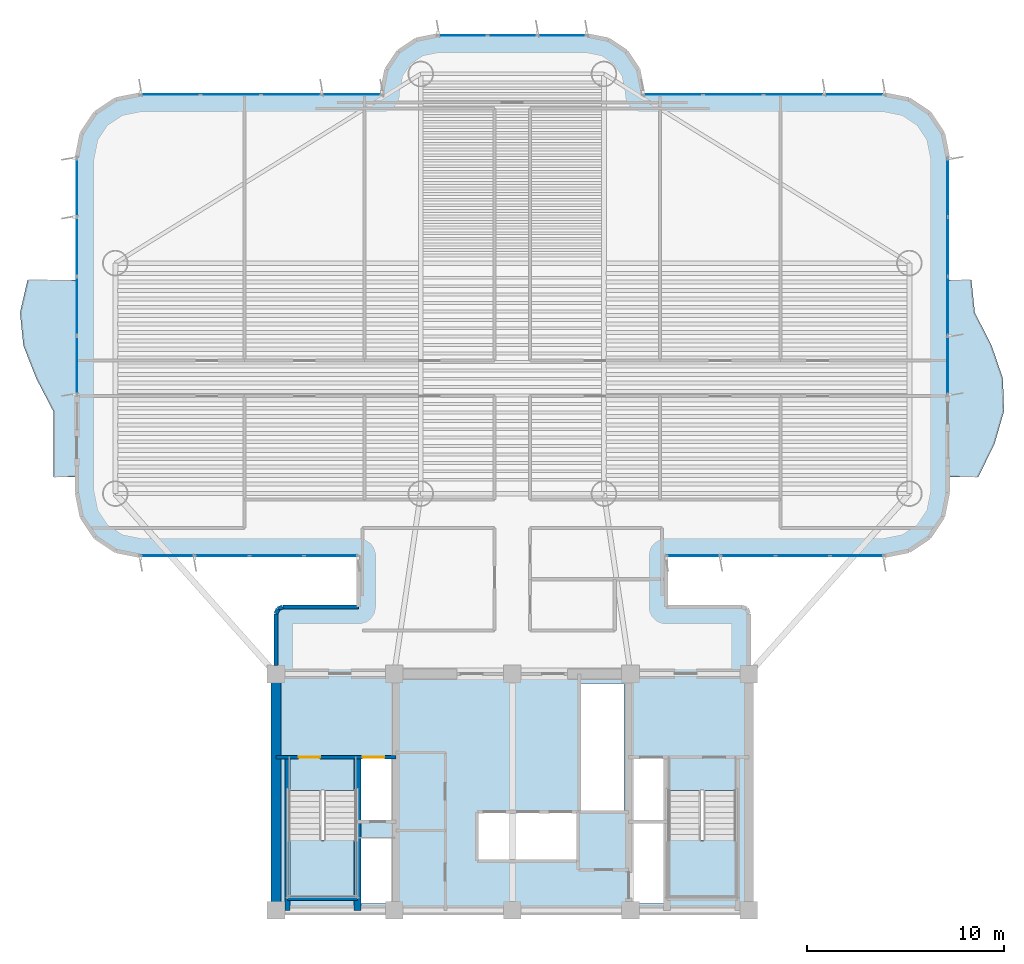
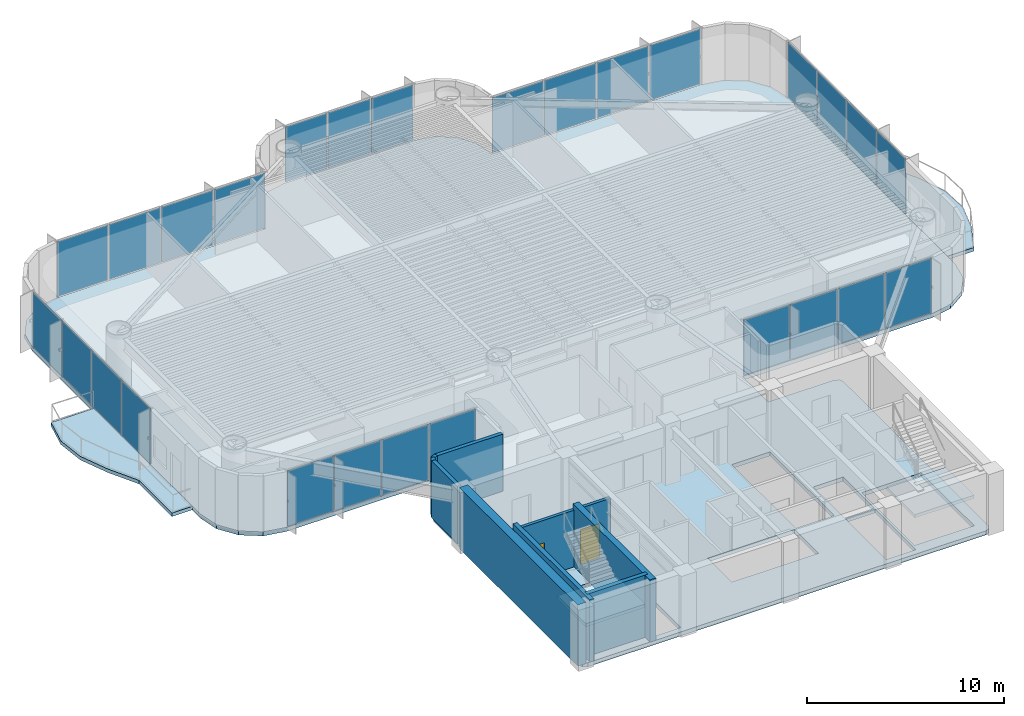
# One storey, part 8 of 16: 27 plates, 9 walls, 5 slabs, 2 doors, 2 openings, 9 elements without a shape of their own.
"""IFC4 building model written with IfcOpenShell, lengths in metres."""

from ifc_helpers import new_model, si_unit, direction, frame, frame_2d, origin, origin_2d, place, context, subcontext, project, spatial, polyline, rectangle, outline, extrude, source, transform, mapped, material, layer, layer_set, type_object, element, fill, aggregate, save


model = new_model("IFC4")

# Units and contexts
model_context = context("Model", 3, precision=1e-05, world=origin(), true_north=direction((0.0, 1.0)))
body_context = subcontext(model_context, "Body", "Model", "MODEL_VIEW")
ifc_project = project(units=[si_unit("LENGTHUNIT", "METRE"), si_unit("AREAUNIT", "SQUARE_METRE"), si_unit("VOLUMEUNIT", "CUBIC_METRE"), si_unit("PLANEANGLEUNIT", "RADIAN"), si_unit("MASSUNIT", "GRAM", prefix="KILO")], contexts=[model_context])

# Site, building, storey
site_placement = place(None, origin())
site = spatial("IfcSite", under=ifc_project, at=site_placement, CompositionType="ELEMENT")
building_placement = place(site_placement, origin())
building = spatial("IfcBuilding", under=site, at=building_placement, Name="Brelvock Crest Care Tower", CompositionType="ELEMENT")
storey_placement = place(building_placement, frame((0.0, 0.0, 112.5)))
storey = spatial("IfcBuildingStorey", under=building, at=storey_placement, Name="L28", CompositionType="ELEMENT", Elevation=112.5)

# Slabs
ifc_material_1 = material(Name="Concrete N50 (50 MPa)", Category="concrete")
ifc_layer_1 = layer(ifc_material_1, 0.25, Name="SLB-FL3")
ifc_layer_set_1 = layer_set([ifc_layer_1], Name="Concrete N50 (50 MPa)")
slab_type_1 = type_object("IfcSlabType", Name="SLB-FL3", PredefinedType="FLOOR", material=ifc_layer_set_1)
slab_1_placement = place(storey_placement, frame((0.0, 0.0, -0.25)))
element("IfcSlab", 1, at=slab_1_placement, inside=storey, type_object=slab_type_1, Name="L28 Main Structural Slab", PredefinedType="FLOOR", context=body_context, shape_type="SweptSolid", body=[
    extrude(outline(polyline([(47.64990234375, 21.39990234375), (43.800048828125, 21.39990234375), (43.800048828125, 24.0), (54.89990234375, 24.0), (56.12451171875, 24.24365234375), (57.16259765625, 24.937255859375), (57.8564453125, 25.975341796875), (58.10009765625, 27.199951171875), (58.10009765625, 44.199951171875), (57.8564453125, 45.424560546875), (57.16259765625, 46.462646484375), (56.12451171875, 47.156494140625), (54.89990234375, 47.39990234375), (42.60009765625, 47.39990234375), (42.60009765625, 47.60009765625), (42.386962890625, 48.67138671875), (41.77978515625, 49.579833984375), (40.87158203125, 50.18701171875), (39.800048828125, 50.39990234375), (32.199951171875, 50.39990234375), (31.12841796875, 50.18701171875), (30.22021484375, 49.579833984375), (29.613037109375, 48.67138671875), (29.39990234375, 47.60009765625), (29.39990234375, 47.39990234375), (17.10009765625, 47.39990234375), (15.87548828125, 47.156494140625), (14.83740234375, 46.462646484375), (14.1435546875, 45.424560546875), (13.89990234375, 44.199951171875), (13.89990234375, 27.199951171875), (14.1435546875, 25.975341796875), (14.83740234375, 24.937255859375), (15.87548828125, 24.24365234375), (17.10009765625, 24.0), (28.199951171875, 24.0), (28.199951171875, 21.39990234375), (24.35009765625, 21.39990234375), (24.1025390625, 21.297607421875), (24.0, 21.050048828125), (24.0, 6.35009765625), (24.1025390625, 6.1025390625), (24.35009765625, 6.0), (47.64990234375, 6.0), (47.8974609375, 6.1025390625), (48.0, 6.35009765625), (48.0, 21.050048828125), (47.8974609375, 21.297607421875), (47.64990234375, 21.39990234375)]), holes=[polyline([(28.239990234375, 10.580078125), (29.97998046875, 10.580078125), (29.97998046875, 13.739990234375), (28.239990234375, 13.739990234375), (28.239990234375, 10.580078125)]), polyline([(42.02001953125, 10.580078125), (43.760009765625, 10.580078125), (43.760009765625, 13.739990234375), (42.02001953125, 13.739990234375), (42.02001953125, 10.580078125)]), polyline([(28.239990234375, 6.340087890625), (29.97998046875, 6.340087890625), (29.97998046875, 9.64990234375), (28.239990234375, 9.64990234375), (28.239990234375, 6.340087890625)]), polyline([(24.6298828125, 12.080078125), (24.6298828125, 6.699951171875), (28.110107421875, 6.699951171875), (28.110107421875, 12.080078125), (24.6298828125, 12.080078125)]), polyline([(43.889892578125, 12.080078125), (43.889892578125, 6.699951171875), (47.3701171875, 6.699951171875), (47.3701171875, 12.080078125), (43.889892578125, 12.080078125)]), polyline([(42.02001953125, 6.340087890625), (43.760009765625, 6.340087890625), (43.760009765625, 10.5), (42.02001953125, 10.5), (42.02001953125, 6.340087890625)]), polyline([(34.22998046875, 8.530029296875), (39.320068359375, 8.530029296875), (39.320068359375, 10.969970703125), (34.22998046875, 10.969970703125), (34.22998046875, 8.530029296875)]), polyline([(39.429931640625, 11.030029296875), (41.669921875, 11.030029296875), (41.669921875, 17.52001953125), (39.429931640625, 17.52001953125), (39.429931640625, 11.030029296875)])]), origin(), (0.0, 0.0, 1.0), 0.25),
])
ifc_layer_2 = layer(ifc_material_1, 0.219970703125, Name="SLB-WB1")
ifc_layer_set_2 = layer_set([ifc_layer_2], Name="Concrete N50 (50 MPa)")
slab_type_2 = type_object("IfcSlabType", Name="SLB-WB1", PredefinedType="FLOOR", material=ifc_layer_set_2)
slab_2_placement = place(storey_placement, frame((0.0, 0.0, -0.219970703125)))
element("IfcSlab", 2, at=slab_2_placement, inside=storey, type_object=slab_type_2, Name="L28 W Sinusoidal Wave Balcony Slab", PredefinedType="FLOOR", context=body_context, shape_type="SweptSolid", body=[
    extrude(outline(polyline([(13.89990234375, 38.0), (11.3955078125, 38.0), (11.011474609375, 36.333251953125), (11.180908203125, 34.666748046875), (11.83349609375, 33.0), (12.699462890625, 31.333251953125), (12.699951171875, 29.666748046875), (12.699951171875, 28.0), (13.89990234375, 28.0), (13.89990234375, 38.0)])), origin(), (0.0, 0.0, 1.0), 0.219970703125),
])
slab_3_placement = place(storey_placement, frame((0.0, 0.0, -0.219970703125)))
element("IfcSlab", 3, at=slab_3_placement, inside=storey, type_object=slab_type_2, Name="L28 E Sinusoidal Wave Balcony Slab", PredefinedType="FLOOR", context=body_context, shape_type="SweptSolid", body=[
    extrude(outline(polyline([(58.10009765625, 28.0), (59.64990234375, 28.0), (60.4716796875, 29.666748046875), (60.9541015625, 31.333251953125), (60.897216796875, 33.0), (60.324951171875, 34.666748046875), (59.473876953125, 36.333251953125), (59.300048828125, 38.0), (58.10009765625, 38.0), (58.10009765625, 28.0)])), origin(), (0.0, 0.0, 1.0), 0.219970703125),
])

# Stair, slab
ifc_material_2 = material(Name="Concrete N40 (40 MPa)", Category="concrete")
stair_type = type_object("IfcStairType", Name="ST-CORE1", PredefinedType="HALF_TURN_STAIR", material=ifc_material_2)
stair_1_placement = place(storey_placement, origin())
stair_1 = element("IfcStair", 4, at=stair_1_placement, inside=storey, type_object=stair_type, Name="L28 Fire-Isolated Core Stair ST-1", PredefinedType="HALF_TURN_STAIR")
ifc_layer_3 = layer(ifc_material_2, 0.199951171875, Name="STL-1")
ifc_layer_set_3 = layer_set([ifc_layer_3], Name="Concrete N40 (40 MPa)")
slab_type_3 = type_object("IfcSlabType", Name="STL-1", PredefinedType="LANDING", material=ifc_layer_set_3)
slab_4_placement = place(storey_placement, frame((0.0, 0.0, 1.68994140625)))
slab_4 = element("IfcSlab", 5, at=slab_4_placement, type_object=slab_type_3, Name="ST-1 landing 1", PredefinedType="LANDING", context=body_context, shape_type="SweptSolid", body=[
    extrude(outline(polyline([(24.6298828125, 9.56005859375), (24.6298828125, 6.699951171875), (28.110107421875, 6.699951171875), (28.110107421875, 9.56005859375), (24.6298828125, 9.56005859375)])), origin(), (0.0, 0.0, 1.0), 0.199951171875),
])
aggregate(stair_1, [slab_4])

stair_2_placement = place(storey_placement, origin())
stair_2 = element("IfcStair", 6, at=stair_2_placement, inside=storey, type_object=stair_type, Name="L28 Fire-Isolated Core Stair ST-2", PredefinedType="HALF_TURN_STAIR")
slab_5_placement = place(storey_placement, frame((0.0, 0.0, 1.68994140625)))
slab_5 = element("IfcSlab", 7, at=slab_5_placement, type_object=slab_type_3, Name="ST-2 landing 1", PredefinedType="LANDING", context=body_context, shape_type="SweptSolid", body=[
    extrude(outline(polyline([(43.889892578125, 9.56005859375), (43.889892578125, 6.699951171875), (47.3701171875, 6.699951171875), (47.3701171875, 9.56005859375), (43.889892578125, 9.56005859375)])), origin(), (0.0, 0.0, 1.0), 0.199951171875),
])
aggregate(stair_2, [slab_5])

# Curtain wall, plates
ifc_material_3 = material(Name="Dark Glass Double Glazed Low-E", Category="glass")
ifc_layer_4 = layer(ifc_material_3, 0.2099609375, Name="CWS-3")
ifc_layer_set_4 = layer_set([ifc_layer_4], Name="Dark Glass Double Glazed Low-E")
curtain_wall_type = type_object("IfcCurtainWallType", Name="CWS-3", PredefinedType="NOTDEFINED", material=ifc_layer_set_4)
curtain_wall_1_placement = place(storey_placement, origin())
curtain_wall_1 = element("IfcCurtainWall", 8, at=curtain_wall_1_placement, inside=storey, type_object=curtain_wall_type, Name="L28 Curtain Wall E12", PredefinedType="NOTDEFINED")
ifc_layer_5 = layer(ifc_material_3, 0.031982421875, Name="CWP-V1")
ifc_layer_set_5 = layer_set([ifc_layer_5], Name="Dark Glass Double Glazed Low-E")
plate_type = type_object("IfcPlateType", Name="CWP-V1", PredefinedType="CURTAIN_PANEL", material=ifc_layer_set_5)
shared_shape_1 = source(origin(), body_context, "Body", "SweptSolid", [
    extrude(rectangle(XDim=2.68505859375, YDim=0.035888671875, at=origin_2d()), origin(), (0.0, 0.0, 1.0), 3.409912109375),
])
plate_1_placement = place(storey_placement, frame((26.797607421875, 24.0, 0.06005859375), z_axis=(0.0, 0.0, 1.0), x_axis=(-1.0, 0.0, 0.0)))
plate_1 = element("IfcPlate", 9, at=plate_1_placement, type_object=plate_type, Name="CW-3 panel 1.1", PredefinedType="CURTAIN_PANEL", context=body_context, shape_type="MappedRepresentation", body=[
    mapped(shared_shape_1, transform((0.0, 0.0, 0.0), x_axis=(1.0, 0.0, 0.0), y_axis=(0.0, 1.0, 0.0), z_axis=(0.0, 0.0, 1.0), scale=1.0)),
])
plate_2_placement = place(storey_placement, frame((18.50244140625, 24.0, 0.06005859375), z_axis=(0.0, 0.0, 1.0), x_axis=(-1.0, 0.0, 0.0)))
plate_2 = element("IfcPlate", 10, at=plate_2_placement, type_object=plate_type, Name="CW-3 panel 4.1", PredefinedType="CURTAIN_PANEL", context=body_context, shape_type="MappedRepresentation", body=[
    mapped(shared_shape_1, transform((0.0, 0.0, 0.0), x_axis=(1.0, 0.0, 0.0), y_axis=(0.0, 1.0, 0.0), z_axis=(0.0, 0.0, 1.0), scale=1.0)),
])

curtain_wall_2_placement = place(storey_placement, origin())
curtain_wall_2 = element("IfcCurtainWall", 11, at=curtain_wall_2_placement, inside=storey, type_object=curtain_wall_type, Name="L28 Curtain Wall E44", PredefinedType="NOTDEFINED")
plate_3_placement = place(storey_placement, frame((53.49755859375, 24.0, 0.06005859375), z_axis=(0.0, 0.0, 1.0), x_axis=(-1.0, 0.0, 0.0)))
plate_3 = element("IfcPlate", 12, at=plate_3_placement, type_object=plate_type, Name="CW-3 panel 1.1", PredefinedType="CURTAIN_PANEL", context=body_context, shape_type="MappedRepresentation", body=[
    mapped(shared_shape_1, transform((0.0, 0.0, 0.0), x_axis=(1.0, 0.0, 0.0), y_axis=(0.0, 1.0, 0.0), z_axis=(0.0, 0.0, 1.0), scale=1.0)),
])
plate_4_placement = place(storey_placement, frame((45.202392578125, 24.0, 0.06005859375), z_axis=(0.0, 0.0, 1.0), x_axis=(-1.0, 0.0, 0.0)))
plate_4 = element("IfcPlate", 13, at=plate_4_placement, type_object=plate_type, Name="CW-3 panel 4.1", PredefinedType="CURTAIN_PANEL", context=body_context, shape_type="MappedRepresentation", body=[
    mapped(shared_shape_1, transform((0.0, 0.0, 0.0), x_axis=(1.0, 0.0, 0.0), y_axis=(0.0, 1.0, 0.0), z_axis=(0.0, 0.0, 1.0), scale=1.0)),
])

# Plate
shared_shape_2 = source(origin(), body_context, "Body", "SweptSolid", [
    extrude(rectangle(XDim=2.715087890625, YDim=0.035888671875, at=origin_2d()), origin(), (0.0, 0.0, 1.0), 3.409912109375),
])
plate_5_placement = place(storey_placement, frame((24.03759765625, 24.0, 0.06005859375), z_axis=(0.0, 0.0, 1.0), x_axis=(-1.0, 0.0, 0.0)))
plate_5 = element("IfcPlate", 14, at=plate_5_placement, type_object=plate_type, Name="CW-3 panel 2.1", PredefinedType="CURTAIN_PANEL", context=body_context, shape_type="MappedRepresentation", body=[
    mapped(shared_shape_2, transform((0.0, 0.0, 0.0), x_axis=(1.0, 0.0, 0.0), y_axis=(0.0, 1.0, 0.0), z_axis=(0.0, 0.0, 1.0), scale=1.0)),
])

plate_6_placement = place(storey_placement, frame((21.262451171875, 24.0, 0.06005859375), z_axis=(0.0, 0.0, 1.0), x_axis=(-1.0, 0.0, 0.0)))
plate_6 = element("IfcPlate", 15, at=plate_6_placement, type_object=plate_type, Name="CW-3 panel 3.1", PredefinedType="CURTAIN_PANEL", context=body_context, shape_type="MappedRepresentation", body=[
    mapped(shared_shape_2, transform((0.0, 0.0, 0.0), x_axis=(1.0, 0.0, 0.0), y_axis=(0.0, 1.0, 0.0), z_axis=(0.0, 0.0, 1.0), scale=1.0)),
])

aggregate(curtain_wall_1, [plate_1, plate_5, plate_6, plate_2])

plate_7_placement = place(storey_placement, frame((50.737548828125, 24.0, 0.06005859375), z_axis=(0.0, 0.0, 1.0), x_axis=(-1.0, 0.0, 0.0)))
plate_7 = element("IfcPlate", 16, at=plate_7_placement, type_object=plate_type, Name="CW-3 panel 2.1", PredefinedType="CURTAIN_PANEL", context=body_context, shape_type="MappedRepresentation", body=[
    mapped(shared_shape_2, transform((0.0, 0.0, 0.0), x_axis=(1.0, 0.0, 0.0), y_axis=(0.0, 1.0, 0.0), z_axis=(0.0, 0.0, 1.0), scale=1.0)),
])

plate_8_placement = place(storey_placement, frame((47.96240234375, 24.0, 0.06005859375), z_axis=(0.0, 0.0, 1.0), x_axis=(-1.0, 0.0, 0.0)))
plate_8 = element("IfcPlate", 17, at=plate_8_placement, type_object=plate_type, Name="CW-3 panel 3.1", PredefinedType="CURTAIN_PANEL", context=body_context, shape_type="MappedRepresentation", body=[
    mapped(shared_shape_2, transform((0.0, 0.0, 0.0), x_axis=(1.0, 0.0, 0.0), y_axis=(0.0, 1.0, 0.0), z_axis=(0.0, 0.0, 1.0), scale=1.0)),
])

aggregate(curtain_wall_2, [plate_3, plate_7, plate_8, plate_4])

# Curtain wall, plates
curtain_wall_3_placement = place(storey_placement, origin())
curtain_wall_3 = element("IfcCurtainWall", 18, at=curtain_wall_3_placement, inside=storey, type_object=curtain_wall_type, Name="L28 Curtain Wall E17B", PredefinedType="NOTDEFINED")
shared_shape_3 = source(origin(), body_context, "Body", "SweptSolid", [
    extrude(rectangle(XDim=2.922607421875, YDim=0.035888671875, at=origin_2d()), origin(), (0.0, 0.0, 1.0), 3.409912109375),
])
plate_9_placement = place(storey_placement, frame((13.89990234375, 33.671142578125, 0.06005859375), z_axis=(0.0, 0.0, 1.0), x_axis=(0.0, 1.0, 0.0)))
plate_9 = element("IfcPlate", 19, at=plate_9_placement, type_object=plate_type, Name="CW-3 panel 1.1", PredefinedType="CURTAIN_PANEL", context=body_context, shape_type="MappedRepresentation", body=[
    mapped(shared_shape_3, transform((0.0, 0.0, 0.0), x_axis=(1.0, 0.0, 0.0), y_axis=(0.0, 1.0, 0.0), z_axis=(0.0, 0.0, 1.0), scale=1.0)),
])
plate_10_placement = place(storey_placement, frame((13.89990234375, 42.6787109375, 0.06005859375), z_axis=(0.0, 0.0, 1.0), x_axis=(0.0, 1.0, 0.0)))
plate_10 = element("IfcPlate", 20, at=plate_10_placement, type_object=plate_type, Name="CW-3 panel 4.1", PredefinedType="CURTAIN_PANEL", context=body_context, shape_type="MappedRepresentation", body=[
    mapped(shared_shape_3, transform((0.0, 0.0, 0.0), x_axis=(1.0, 0.0, 0.0), y_axis=(0.0, 1.0, 0.0), z_axis=(0.0, 0.0, 1.0), scale=1.0)),
])

curtain_wall_4_placement = place(storey_placement, origin())
curtain_wall_4 = element("IfcCurtainWall", 21, at=curtain_wall_4_placement, inside=storey, type_object=curtain_wall_type, Name="L28 Curtain Wall E39A", PredefinedType="NOTDEFINED")
plate_11_placement = place(storey_placement, frame((58.10009765625, 42.6787109375, 0.06005859375), z_axis=(0.0, 0.0, 1.0), x_axis=(0.0, -1.0, 0.0)))
plate_11 = element("IfcPlate", 22, at=plate_11_placement, type_object=plate_type, Name="CW-3 panel 1.1", PredefinedType="CURTAIN_PANEL", context=body_context, shape_type="MappedRepresentation", body=[
    mapped(shared_shape_3, transform((0.0, 0.0, 0.0), x_axis=(1.0, 0.0, 0.0), y_axis=(0.0, 1.0, 0.0), z_axis=(0.0, 0.0, 1.0), scale=1.0)),
])
plate_12_placement = place(storey_placement, frame((58.10009765625, 33.671142578125, 0.06005859375), z_axis=(0.0, 0.0, 1.0), x_axis=(0.0, -1.0, 0.0)))
plate_12 = element("IfcPlate", 23, at=plate_12_placement, type_object=plate_type, Name="CW-3 panel 4.1", PredefinedType="CURTAIN_PANEL", context=body_context, shape_type="MappedRepresentation", body=[
    mapped(shared_shape_3, transform((0.0, 0.0, 0.0), x_axis=(1.0, 0.0, 0.0), y_axis=(0.0, 1.0, 0.0), z_axis=(0.0, 0.0, 1.0), scale=1.0)),
])

# Plate
shared_shape_4 = source(origin(), body_context, "Body", "SweptSolid", [
    extrude(rectangle(XDim=2.952392578125, YDim=0.035888671875, at=origin_2d()), origin(), (0.0, 0.0, 1.0), 3.409912109375),
])
plate_13_placement = place(storey_placement, frame((13.89990234375, 36.668701171875, 0.06005859375), z_axis=(0.0, 0.0, 1.0), x_axis=(0.0, 1.0, 0.0)))
plate_13 = element("IfcPlate", 24, at=plate_13_placement, type_object=plate_type, Name="CW-3 panel 2.1", PredefinedType="CURTAIN_PANEL", context=body_context, shape_type="MappedRepresentation", body=[
    mapped(shared_shape_4, transform((0.0, 0.0, 0.0), x_axis=(1.0, 0.0, 0.0), y_axis=(0.0, 1.0, 0.0), z_axis=(0.0, 0.0, 1.0), scale=1.0)),
])

plate_14_placement = place(storey_placement, frame((13.89990234375, 39.68115234375, 0.06005859375), z_axis=(0.0, 0.0, 1.0), x_axis=(0.0, 1.0, 0.0)))
plate_14 = element("IfcPlate", 25, at=plate_14_placement, type_object=plate_type, Name="CW-3 panel 3.1", PredefinedType="CURTAIN_PANEL", context=body_context, shape_type="MappedRepresentation", body=[
    mapped(shared_shape_4, transform((0.0, 0.0, 0.0), x_axis=(1.0, 0.0, 0.0), y_axis=(0.0, 1.0, 0.0), z_axis=(0.0, 0.0, 1.0), scale=1.0)),
])

aggregate(curtain_wall_3, [plate_9, plate_13, plate_14, plate_10])

plate_15_placement = place(storey_placement, frame((58.10009765625, 39.68115234375, 0.06005859375), z_axis=(0.0, 0.0, 1.0), x_axis=(0.0, -1.0, 0.0)))
plate_15 = element("IfcPlate", 26, at=plate_15_placement, type_object=plate_type, Name="CW-3 panel 2.1", PredefinedType="CURTAIN_PANEL", context=body_context, shape_type="MappedRepresentation", body=[
    mapped(shared_shape_4, transform((0.0, 0.0, 0.0), x_axis=(1.0, 0.0, 0.0), y_axis=(0.0, 1.0, 0.0), z_axis=(0.0, 0.0, 1.0), scale=1.0)),
])

plate_16_placement = place(storey_placement, frame((58.10009765625, 36.668701171875, 0.06005859375), z_axis=(0.0, 0.0, 1.0), x_axis=(0.0, -1.0, 0.0)))
plate_16 = element("IfcPlate", 27, at=plate_16_placement, type_object=plate_type, Name="CW-3 panel 3.1", PredefinedType="CURTAIN_PANEL", context=body_context, shape_type="MappedRepresentation", body=[
    mapped(shared_shape_4, transform((0.0, 0.0, 0.0), x_axis=(1.0, 0.0, 0.0), y_axis=(0.0, 1.0, 0.0), z_axis=(0.0, 0.0, 1.0), scale=1.0)),
])

aggregate(curtain_wall_4, [plate_11, plate_15, plate_16, plate_12])

# Curtain wall, plates
curtain_wall_5_placement = place(storey_placement, origin())
curtain_wall_5 = element("IfcCurtainWall", 28, at=curtain_wall_5_placement, inside=storey, type_object=curtain_wall_type, Name="L28 Curtain Wall E22", PredefinedType="NOTDEFINED")
shared_shape_5 = source(origin(), body_context, "Body", "SweptSolid", [
    extrude(rectangle(XDim=2.985107421875, YDim=0.035888671875, at=origin_2d()), origin(), (0.0, 0.0, 1.0), 3.409912109375),
])
plate_17_placement = place(storey_placement, frame((18.652587890625, 47.39990234375, 0.06005859375), z_axis=(0.0, 0.0, 1.0), x_axis=(1.0, 0.0, 0.0)))
plate_17 = element("IfcPlate", 29, at=plate_17_placement, type_object=plate_type, Name="CW-3 panel 1.1", PredefinedType="CURTAIN_PANEL", context=body_context, shape_type="MappedRepresentation", body=[
    mapped(shared_shape_5, transform((0.0, 0.0, 0.0), x_axis=(1.0, 0.0, 0.0), y_axis=(0.0, 1.0, 0.0), z_axis=(0.0, 0.0, 1.0), scale=1.0)),
])
plate_18_placement = place(storey_placement, frame((27.847412109375, 47.39990234375, 0.06005859375), z_axis=(0.0, 0.0, 1.0), x_axis=(1.0, 0.0, 0.0)))
plate_18 = element("IfcPlate", 30, at=plate_18_placement, type_object=plate_type, Name="CW-3 panel 4.1", PredefinedType="CURTAIN_PANEL", context=body_context, shape_type="MappedRepresentation", body=[
    mapped(shared_shape_5, transform((0.0, 0.0, 0.0), x_axis=(1.0, 0.0, 0.0), y_axis=(0.0, 1.0, 0.0), z_axis=(0.0, 0.0, 1.0), scale=1.0)),
])

curtain_wall_6_placement = place(storey_placement, origin())
curtain_wall_6 = element("IfcCurtainWall", 31, at=curtain_wall_6_placement, inside=storey, type_object=curtain_wall_type, Name="L28 Curtain Wall E34", PredefinedType="NOTDEFINED")
plate_19_placement = place(storey_placement, frame((44.152587890625, 47.39990234375, 0.06005859375), z_axis=(0.0, 0.0, 1.0), x_axis=(1.0, 0.0, 0.0)))
plate_19 = element("IfcPlate", 32, at=plate_19_placement, type_object=plate_type, Name="CW-3 panel 1.1", PredefinedType="CURTAIN_PANEL", context=body_context, shape_type="MappedRepresentation", body=[
    mapped(shared_shape_5, transform((0.0, 0.0, 0.0), x_axis=(1.0, 0.0, 0.0), y_axis=(0.0, 1.0, 0.0), z_axis=(0.0, 0.0, 1.0), scale=1.0)),
])
plate_20_placement = place(storey_placement, frame((53.347412109375, 47.39990234375, 0.06005859375), z_axis=(0.0, 0.0, 1.0), x_axis=(1.0, 0.0, 0.0)))
plate_20 = element("IfcPlate", 33, at=plate_20_placement, type_object=plate_type, Name="CW-3 panel 4.1", PredefinedType="CURTAIN_PANEL", context=body_context, shape_type="MappedRepresentation", body=[
    mapped(shared_shape_5, transform((0.0, 0.0, 0.0), x_axis=(1.0, 0.0, 0.0), y_axis=(0.0, 1.0, 0.0), z_axis=(0.0, 0.0, 1.0), scale=1.0)),
])

# Plate
shared_shape_6 = source(origin(), body_context, "Body", "SweptSolid", [
    extrude(rectangle(XDim=3.014892578125, YDim=0.035888671875, at=origin_2d()), origin(), (0.0, 0.0, 1.0), 3.409912109375),
])
plate_21_placement = place(storey_placement, frame((21.71240234375, 47.39990234375, 0.06005859375), z_axis=(0.0, 0.0, 1.0), x_axis=(1.0, 0.0, 0.0)))
plate_21 = element("IfcPlate", 34, at=plate_21_placement, type_object=plate_type, Name="CW-3 panel 2.1", PredefinedType="CURTAIN_PANEL", context=body_context, shape_type="MappedRepresentation", body=[
    mapped(shared_shape_6, transform((0.0, 0.0, 0.0), x_axis=(1.0, 0.0, 0.0), y_axis=(0.0, 1.0, 0.0), z_axis=(0.0, 0.0, 1.0), scale=1.0)),
])

plate_22_placement = place(storey_placement, frame((24.78759765625, 47.39990234375, 0.06005859375), z_axis=(0.0, 0.0, 1.0), x_axis=(1.0, 0.0, 0.0)))
plate_22 = element("IfcPlate", 35, at=plate_22_placement, type_object=plate_type, Name="CW-3 panel 3.1", PredefinedType="CURTAIN_PANEL", context=body_context, shape_type="MappedRepresentation", body=[
    mapped(shared_shape_6, transform((0.0, 0.0, 0.0), x_axis=(1.0, 0.0, 0.0), y_axis=(0.0, 1.0, 0.0), z_axis=(0.0, 0.0, 1.0), scale=1.0)),
])

aggregate(curtain_wall_5, [plate_17, plate_21, plate_22, plate_18])

plate_23_placement = place(storey_placement, frame((47.21240234375, 47.39990234375, 0.06005859375), z_axis=(0.0, 0.0, 1.0), x_axis=(1.0, 0.0, 0.0)))
plate_23 = element("IfcPlate", 36, at=plate_23_placement, type_object=plate_type, Name="CW-3 panel 2.1", PredefinedType="CURTAIN_PANEL", context=body_context, shape_type="MappedRepresentation", body=[
    mapped(shared_shape_6, transform((0.0, 0.0, 0.0), x_axis=(1.0, 0.0, 0.0), y_axis=(0.0, 1.0, 0.0), z_axis=(0.0, 0.0, 1.0), scale=1.0)),
])

plate_24_placement = place(storey_placement, frame((50.28759765625, 47.39990234375, 0.06005859375), z_axis=(0.0, 0.0, 1.0), x_axis=(1.0, 0.0, 0.0)))
plate_24 = element("IfcPlate", 37, at=plate_24_placement, type_object=plate_type, Name="CW-3 panel 3.1", PredefinedType="CURTAIN_PANEL", context=body_context, shape_type="MappedRepresentation", body=[
    mapped(shared_shape_6, transform((0.0, 0.0, 0.0), x_axis=(1.0, 0.0, 0.0), y_axis=(0.0, 1.0, 0.0), z_axis=(0.0, 0.0, 1.0), scale=1.0)),
])

aggregate(curtain_wall_6, [plate_19, plate_23, plate_24, plate_20])

# Curtain wall, plates
curtain_wall_7_placement = place(storey_placement, origin())
curtain_wall_7 = element("IfcCurtainWall", 38, at=curtain_wall_7_placement, inside=storey, type_object=curtain_wall_type, Name="L28 Curtain Wall E28", PredefinedType="NOTDEFINED")
shared_shape_7 = source(origin(), body_context, "Body", "SweptSolid", [
    extrude(rectangle(XDim=2.443359375, YDim=0.035888671875, at=origin_2d()), origin(), (0.0, 0.0, 1.0), 3.409912109375),
])
plate_25_placement = place(storey_placement, frame((33.481689453125, 50.39990234375, 0.06005859375), z_axis=(0.0, 0.0, 1.0), x_axis=(1.0, 0.0, 0.0)))
plate_25 = element("IfcPlate", 39, at=plate_25_placement, type_object=plate_type, Name="CW-3 panel 1.1", PredefinedType="CURTAIN_PANEL", context=body_context, shape_type="MappedRepresentation", body=[
    mapped(shared_shape_7, transform((0.0, 0.0, 0.0), x_axis=(1.0, 0.0, 0.0), y_axis=(0.0, 1.0, 0.0), z_axis=(0.0, 0.0, 1.0), scale=1.0)),
])
plate_26_placement = place(storey_placement, frame((38.518310546875, 50.39990234375, 0.06005859375), z_axis=(0.0, 0.0, 1.0), x_axis=(1.0, 0.0, 0.0)))
plate_26 = element("IfcPlate", 40, at=plate_26_placement, type_object=plate_type, Name="CW-3 panel 3.1", PredefinedType="CURTAIN_PANEL", context=body_context, shape_type="MappedRepresentation", body=[
    mapped(shared_shape_7, transform((0.0, 0.0, 0.0), x_axis=(1.0, 0.0, 0.0), y_axis=(0.0, 1.0, 0.0), z_axis=(0.0, 0.0, 1.0), scale=1.0)),
])
shared_shape_8 = source(origin(), body_context, "Body", "SweptSolid", [
    extrude(rectangle(XDim=2.473388671875, YDim=0.035888671875, at=origin_2d()), origin(), (0.0, 0.0, 1.0), 3.409912109375),
])
plate_27_placement = place(storey_placement, frame((36.0, 50.39990234375, 0.06005859375), z_axis=(0.0, 0.0, 1.0), x_axis=(1.0, 0.0, 0.0)))
plate_27 = element("IfcPlate", 41, at=plate_27_placement, type_object=plate_type, Name="CW-3 panel 2.1", PredefinedType="CURTAIN_PANEL", context=body_context, shape_type="MappedRepresentation", body=[
    mapped(shared_shape_8, transform((0.0, 0.0, 0.0), x_axis=(1.0, 0.0, 0.0), y_axis=(0.0, 1.0, 0.0), z_axis=(0.0, 0.0, 1.0), scale=1.0)),
])
aggregate(curtain_wall_7, [plate_25, plate_27, plate_26])

# Walls
ifc_material_4 = material(Name="Concrete S80 (80 MPa)", Category="concrete")
ifc_layer_6 = layer(ifc_material_4, 0.5, Name="WL-CS2")
ifc_layer_set_6 = layer_set([ifc_layer_6], Name="Concrete S80 (80 MPa)")
wall_type_1 = type_object("IfcWallType", Name="WL-CS2", PredefinedType="SHEAR", material=ifc_layer_set_6)
wall_1_placement = place(storey_placement, frame((24.0, 6.0, 0.0), z_axis=(0.0, 0.0, 1.0), x_axis=(0.0, 1.0, 0.0)))
element("IfcWall", 42, at=wall_1_placement, inside=storey, type_object=wall_type_1, Name="L28 Core West Shear Wall", PredefinedType="SHEAR", context=body_context, shape_type="SweptSolid", body=[
    extrude(rectangle(XDim=12.0, YDim=0.5, at=frame_2d((6.0, 0.0))), origin(), (0.0, 0.0, 1.0), 3.780029296875),
])
ifc_layer_7 = layer(ifc_material_4, 0.35009765625, Name="WL-CS5")
ifc_layer_set_7 = layer_set([ifc_layer_7], Name="Concrete S80 (80 MPa)")
wall_type_2 = type_object("IfcWallType", Name="WL-CS5", PredefinedType="SHEAR", material=ifc_layer_set_7)
wall_2_placement = place(storey_placement, frame((28.14990234375, 6.0, 0.0), z_axis=(0.0, 0.0, 1.0), x_axis=(0.0, 1.0, 0.0)))
element("IfcWall", 43, at=wall_2_placement, inside=storey, type_object=wall_type_2, Name="L28 Core Stair ST-1 East Shear Wall", PredefinedType="SHEAR", context=body_context, shape_type="SweptSolid", body=[
    extrude(rectangle(XDim=7.780029296875, YDim=0.35009765625, at=frame_2d((3.89013671875, 0.0))), origin(), (0.0, 0.0, 1.0), 3.85009765625),
])
ifc_layer_8 = layer(ifc_material_4, 0.25, Name="WL-CS6")
ifc_layer_set_8 = layer_set([ifc_layer_8], Name="Concrete S80 (80 MPa)")
wall_type_3 = type_object("IfcWallType", Name="WL-CS6", PredefinedType="SHEAR", material=ifc_layer_set_8)
wall_3_placement = place(storey_placement, frame((24.580078125, 6.0, 0.0), z_axis=(0.0, 0.0, 1.0), x_axis=(0.0, 1.0, 0.0)))
element("IfcWall", 44, at=wall_3_placement, inside=storey, type_object=wall_type_3, Name="L28 Core Stair ST-1 West Shear Wall", PredefinedType="SHEAR", context=body_context, shape_type="SweptSolid", body=[
    extrude(rectangle(XDim=7.780029296875, YDim=0.25, at=frame_2d((3.89013671875, 0.0))), origin(), (0.0, 0.0, 1.0), 3.85009765625),
])
wall_4_placement = place(storey_placement, frame((24.580078125, 6.6201171875, 0.0), z_axis=(0.0, 0.0, 1.0), x_axis=(1.0, 0.0, 0.0)))
element("IfcWall", 45, at=wall_4_placement, inside=storey, type_object=wall_type_3, Name="L28 Core Stair ST-1 South Shear Wall", PredefinedType="SHEAR", context=body_context, shape_type="SweptSolid", body=[
    extrude(rectangle(XDim=3.56982421875, YDim=0.25, at=frame_2d((1.784912109375, 0.0))), origin(), (0.0, 0.0, 1.0), 3.85009765625),
])
ifc_material_5 = material(Name="Precast concrete N40 (40 MPa)", Category="concrete")
ifc_layer_9 = layer(ifc_material_5, 0.215087890625, Name="WL-EX2")
ifc_layer_set_9 = layer_set([ifc_layer_9], Name="Precast concrete N40 (40 MPa)")
wall_type_4 = type_object("IfcWallType", Name="WL-EX2", PredefinedType="SOLIDWALL", material=ifc_layer_set_9)
wall_5_placement = place(storey_placement, frame((24.0, 18.429931640625, 0.0), z_axis=(0.0, 0.0, 1.0), x_axis=(0.0, 1.0, 0.0)))
element("IfcWall", 46, at=wall_5_placement, inside=storey, type_object=wall_type_4, Name="L28 Rounded Corner Wall 07", PredefinedType="SOLIDWALL", context=body_context, shape_type="SweptSolid", body=[
    extrude(rectangle(XDim=2.6201171875, YDim=0.215087890625, at=frame_2d((1.31005859375, 0.0))), origin(), (0.0, 0.0, 1.0), 3.530029296875),
])
wall_6_placement = place(storey_placement, frame((24.0, 21.050048828125, 0.0), z_axis=(0.0, 0.0, 1.0), x_axis=(0.382673670509, 0.923883575944, 0.0)))
element("IfcWall", 47, at=wall_6_placement, inside=storey, type_object=wall_type_4, Name="L28 Rounded Corner Wall 08", PredefinedType="SOLIDWALL", context=body_context, shape_type="SweptSolid", body=[
    extrude(rectangle(XDim=0.26806640625, YDim=0.215087890625, at=frame_2d((0.134033203125, 0.0))), origin(), (0.0, 0.0, 1.0), 3.530029296875),
])
wall_7_placement = place(storey_placement, frame((24.1025390625, 21.297607421875, 0.0), z_axis=(0.0, 0.0, 1.0), x_axis=(0.924205486139, 0.381895560841, 0.0)))
element("IfcWall", 48, at=wall_7_placement, inside=storey, type_object=wall_type_4, Name="L28 Rounded Corner Wall 09", PredefinedType="SOLIDWALL", context=body_context, shape_type="SweptSolid", body=[
    extrude(rectangle(XDim=0.267822265625, YDim=0.215087890625, at=frame_2d((0.1337890625, 0.0))), origin(), (0.0, 0.0, 1.0), 3.530029296875),
])
wall_8_placement = place(storey_placement, frame((24.35009765625, 21.39990234375, 0.0), z_axis=(0.0, 0.0, 1.0), x_axis=(1.0, 0.0, 0.0)))
element("IfcWall", 49, at=wall_8_placement, inside=storey, type_object=wall_type_4, Name="L28 Rounded Corner Wall 10", PredefinedType="SOLIDWALL", context=body_context, shape_type="SweptSolid", body=[
    extrude(rectangle(XDim=3.849853515625, YDim=0.215087890625, at=frame_2d((1.9248046875, 0.0))), origin(), (0.0, 0.0, 1.0), 3.530029296875),
])

# Wall, openings, doors
ifc_material_6 = material(Name="Masonry Blockwork Acoustic Partition", Category="masonry")
ifc_layer_10 = layer(ifc_material_6, 0.179931640625, Name="WL-SHF1")
ifc_layer_set_10 = layer_set([ifc_layer_10], Name="Masonry Blockwork Acoustic Partition")
wall_type_5 = type_object("IfcWallType", Name="WL-SHF1", PredefinedType="PARTITIONING", material=ifc_layer_set_10)
wall_9_placement = place(storey_placement, frame((24.0, 13.780029296875, 0.0), z_axis=(0.0, 0.0, 1.0), x_axis=(1.0, 0.0, 0.0)))
wall_9 = element("IfcWall", 50, at=wall_9_placement, inside=storey, type_object=wall_type_5, Name="L28 Interior Wall WL-ST1-N-L28", PredefinedType="PARTITIONING", context=body_context, shape_type="SweptSolid", body=[
    extrude(rectangle(XDim=6.10009765625, YDim=0.179931640625, at=frame_2d((3.050048828125, 0.0))), origin(), (0.0, 0.0, 1.0), 3.5),
])
opening_1_placement = place(wall_9_placement, frame((1.14990234375, 0.0, 0.0)))
opening_1 = element("IfcOpeningElement", 51, at=opening_1_placement, cuts=wall_9, Name="Opening SD-1", PredefinedType="OPENING", context=body_context, shape_type="SweptSolid", body=[
    extrude(rectangle(XDim=1.10009765625, YDim=2.10009765625, at=origin_2d()), frame((0.550048828125, 0.10009765625, 1.050048828125), z_axis=(0.0, -1.0, 0.0), x_axis=(1.0, 0.0, 0.0)), (0.0, 0.0, 1.0), 0.199951171875),
])
opening_2_placement = place(wall_9_placement, frame((4.39990234375, 0.0, 0.0)))
opening_2 = element("IfcOpeningElement", 52, at=opening_2_placement, cuts=wall_9, Name="Opening LD", PredefinedType="OPENING", context=body_context, shape_type="SweptSolid", body=[
    extrude(rectangle(XDim=1.10009765625, YDim=2.10009765625, at=origin_2d()), frame((0.550048828125, 0.10009765625, 1.050048828125), z_axis=(0.0, -1.0, 0.0), x_axis=(1.0, 0.0, 0.0)), (0.0, 0.0, 1.0), 0.199951171875),
])
ifc_material_7 = material(Name="Steel Grade 350", Category="steel")
door_type_1 = type_object("IfcDoorType", Name="DR-ST1", OperationType="NOTDEFINED", PredefinedType="DOOR", material=ifc_material_7)
shared_shape_9 = source(origin(), body_context, "Body", "SweptSolid", [
    extrude(rectangle(XDim=1.10009765625, YDim=2.10009765625, at=origin_2d()), frame((0.550048828125, 0.02490234375, 1.050048828125), z_axis=(0.0, -1.0, 0.0), x_axis=(1.0, 0.0, 0.0)), (0.0, 0.0, 1.0), 0.050048828125),
])
door_1_placement = place(opening_1_placement, origin())
door_1 = element("IfcDoor", 53, at=door_1_placement, inside=storey, type_object=door_type_1, Name="L28 Fire Stair ST-1 Door", OperationType="SINGLE_SWING_LEFT", OverallHeight=2.10009765625, OverallWidth=1.10009765625, PredefinedType="DOOR", context=body_context, shape_type="MappedRepresentation", body=[
    mapped(shared_shape_9, transform((0.0, 0.0, 0.0), x_axis=(1.0, 0.0, 0.0), y_axis=(0.0, 1.0, 0.0), z_axis=(0.0, 0.0, 1.0), scale=1.0)),
])
fill(opening_1, door_1)
door_type_2 = type_object("IfcDoorType", Name="DR-LD1", OperationType="NOTDEFINED", PredefinedType="DOOR", material=ifc_material_7)
shared_shape_10 = source(origin(), body_context, "Body", "SweptSolid", [
    extrude(rectangle(XDim=1.10009765625, YDim=2.10009765625, at=origin_2d()), frame((0.550048828125, 0.02490234375, 1.050048828125), z_axis=(0.0, -1.0, 0.0), x_axis=(1.0, 0.0, 0.0)), (0.0, 0.0, 1.0), 0.050048828125),
])
door_2_placement = place(opening_2_placement, origin())
door_2 = element("IfcDoor", 54, at=door_2_placement, inside=storey, type_object=door_type_2, Name="L28 Firefighting Lift FFL-1 Landing Door", OperationType="SLIDING_TO_LEFT", OverallHeight=2.10009765625, OverallWidth=1.10009765625, PredefinedType="DOOR", context=body_context, shape_type="MappedRepresentation", body=[
    mapped(shared_shape_10, transform((0.0, 0.0, 0.0), x_axis=(1.0, 0.0, 0.0), y_axis=(0.0, 1.0, 0.0), z_axis=(0.0, 0.0, 1.0), scale=1.0)),
])
fill(opening_2, door_2)

save(model, "model.ifc")
